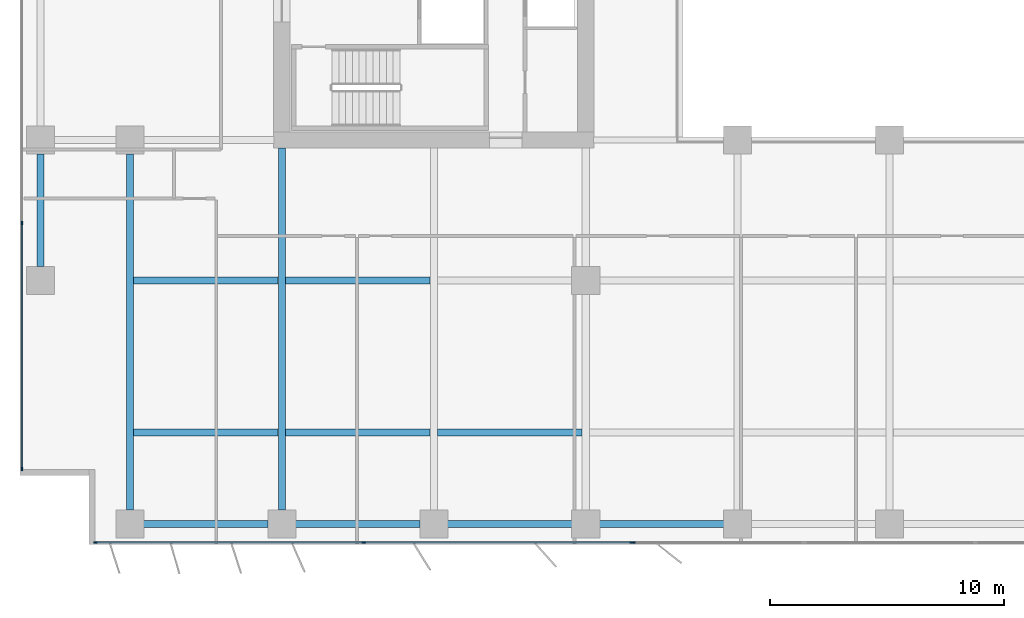
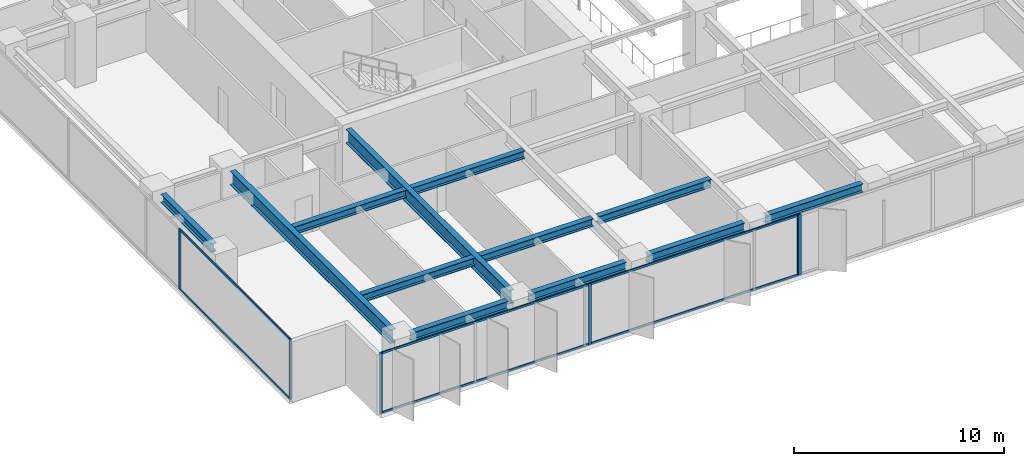
# One storey, part 2 of 20: 12 beams, 12 members, 3 elements without a shape of their own.
"""IFC4 building model written with IfcOpenShell, lengths in metres."""

from ifc_helpers import new_model, si_unit, direction, frame, origin, origin_2d, place, context, subcontext, project, spatial, rectangle, i_section, extrude, material, layer, layer_set, material_profile, profile_set, type_object, element, aggregate, save


model = new_model("IFC4")

# Units and contexts
model_context = context("Model", 3, precision=1e-05, world=origin(), true_north=direction((0.0, 1.0)))
body_context = subcontext(model_context, "Body", "Model", "MODEL_VIEW")
ifc_project = project(units=[si_unit("LENGTHUNIT", "METRE"), si_unit("AREAUNIT", "SQUARE_METRE"), si_unit("VOLUMEUNIT", "CUBIC_METRE"), si_unit("PLANEANGLEUNIT", "RADIAN"), si_unit("MASSUNIT", "GRAM", prefix="KILO")], contexts=[model_context])

# Site, building, storey
site_placement = place(None, origin())
site = spatial("IfcSite", under=ifc_project, at=site_placement, CompositionType="ELEMENT")
building_placement = place(site_placement, origin())
building = spatial("IfcBuilding", under=site, at=building_placement, Name="Putna Gate Headquarters", CompositionType="ELEMENT")
storey_placement = place(building_placement, frame((0.0, 0.0, 135.39990234375)))
storey = spatial("IfcBuildingStorey", under=building, at=storey_placement, Name="L33", CompositionType="ELEMENT", Elevation=135.39990234375)

# Beams
ifc_material_1 = material(Name="Steel S355J2", Category="steel")
ifc_material_profile_1 = material_profile(ifc_material_1, i_section(OverallWidth=0.300048828125, OverallDepth=0.800048828125, WebThickness=0.017578125, FlangeThickness=0.032958984375, at=origin_2d()), Name="Steel S355J2")
ifc_profile_set_1 = profile_set([ifc_material_profile_1], Name="Steel S355J2")
beam_type_1 = type_object("IfcBeamType", Name="BM-GIRD-P-HEB800", PredefinedType="USERDEFINED", material=ifc_profile_set_1)
beam_1_placement = place(storey_placement, frame((6.5, 3.16796875, 3.1201171875), z_axis=(0.0, 1.0, 0.0), x_axis=(-1.0, 0.0, 0.0)))
element("IfcBeam", 1, at=beam_1_placement, inside=storey, type_object=beam_type_1, Name="L33 South Primary Girder X6", ObjectType="GIRDER", PredefinedType="USERDEFINED", context=body_context, shape_type="SweptSolid", body=[
    extrude(i_section(OverallWidth=0.300048828125, OverallDepth=0.800048828125, WebThickness=0.017578125, FlangeThickness=0.032958984375, at=origin_2d()), origin(), (0.0, 0.0, 1.0), 15.244140625),
])
beam_2_placement = place(storey_placement, frame((13.0, 3.16796875, 3.1201171875), z_axis=(0.0, 1.0, 0.0), x_axis=(-1.0, 0.0, 0.0)))
element("IfcBeam", 2, at=beam_2_placement, inside=storey, type_object=beam_type_1, Name="L33 South Primary Girder X13", ObjectType="GIRDER", PredefinedType="USERDEFINED", context=body_context, shape_type="SweptSolid", body=[
    extrude(i_section(OverallWidth=0.300048828125, OverallDepth=0.800048828125, WebThickness=0.017578125, FlangeThickness=0.032958984375, at=origin_2d()), origin(), (0.0, 0.0, 1.0), 15.4970703125),
])
ifc_material_profile_2 = material_profile(ifc_material_1, i_section(OverallWidth=0.300048828125, OverallDepth=0.449951171875, WebThickness=0.013916015625, FlangeThickness=0.02587890625, at=origin_2d()), Name="Steel S355J2")
ifc_profile_set_2 = profile_set([ifc_material_profile_2], Name="Steel S355J2")
beam_type_2 = type_object("IfcBeamType", Name="BM-GIRD-Z5-HEB450", PredefinedType="USERDEFINED", material=ifc_profile_set_2)
for number, where, z_axis, x_axis, name in (
    (3, (6.654052734375, 6.5, 3.295166015625), (1.0, 0.0, 0.0), (0.0, 1.0, 0.0), "L33 South Secondary Beam 1"),
    (4, (6.654052734375, 13.0, 3.295166015625), (1.0, 0.0, 0.0), (0.0, 1.0, 0.0), "L33 South Secondary Beam 1"),
    (5, (13.154052734375, 6.5, 3.295166015625), (1.0, 0.0, 0.0), (0.0, 1.0, 0.0), "L33 South Secondary Beam 2"),
    (6, (13.154052734375, 13.0, 3.295166015625), (1.0, 0.0, 0.0), (0.0, 1.0, 0.0), "L33 South Secondary Beam 2"),
    (7, (19.654052734375, 6.5, 3.295166015625), (1.0, 0.0, 0.0), (0.0, 1.0, 0.0), "L33 South Secondary Beam 3"),
):
    element("IfcBeam", number, at=place(storey_placement, frame(where, z_axis=z_axis, x_axis=x_axis)), inside=storey, type_object=beam_type_2, Name=name, ObjectType="GIRDER", PredefinedType="USERDEFINED", context=body_context, shape_type="SweptSolid", body=[
        extrude(i_section(OverallWidth=0.300048828125, OverallDepth=0.449951171875, WebThickness=0.013916015625, FlangeThickness=0.02587890625, at=origin_2d()), origin(), (0.0, 0.0, 1.0), 6.19189453125),
    ])
ifc_material_profile_3 = material_profile(ifc_material_1, i_section(OverallWidth=0.300048828125, OverallDepth=0.489990234375, WebThickness=0.011962890625, FlangeThickness=0.02294921875, at=origin_2d()), Name="Steel S355J2")
ifc_profile_set_3 = profile_set([ifc_material_profile_3], Name="Steel S355J2")
beam_type_3 = type_object("IfcBeamType", Name="BM-SPAN-Z2-HEA500", PredefinedType="SPANDREL", material=ifc_profile_set_3)
for number, where, z_axis, x_axis, name in (
    (8, (7.087890625, 2.580078125, 3.275146484375), (1.0, 0.0, 0.0), (0.0, 1.0, 0.0), "L33 S Perimeter Spandrel 1"),
    (9, (13.587890625, 2.580078125, 3.275146484375), (1.0, 0.0, 0.0), (0.0, 1.0, 0.0), "L33 S Perimeter Spandrel 2"),
    (10, (20.087890625, 2.580078125, 3.275146484375), (1.0, 0.0, 0.0), (0.0, 1.0, 0.0), "L33 S Perimeter Spandrel 3"),
    (11, (26.587890625, 2.580078125, 3.275146484375), (1.0, 0.0, 0.0), (0.0, 1.0, 0.0), "L33 S Perimeter Spandrel 4"),
):
    element("IfcBeam", number, at=place(storey_placement, frame(where, z_axis=z_axis, x_axis=x_axis)), inside=storey, type_object=beam_type_3, Name=name, PredefinedType="SPANDREL", context=body_context, shape_type="SweptSolid", body=[
        extrude(i_section(OverallWidth=0.300048828125, OverallDepth=0.489990234375, WebThickness=0.011962890625, FlangeThickness=0.02294921875, at=origin_2d()), origin(), (0.0, 0.0, 1.0), 5.32421875),
    ])
beam_3_placement = place(storey_placement, frame((2.679931640625, 13.587890625, 3.275146484375), z_axis=(0.0, 1.0, 0.0), x_axis=(-1.0, 0.0, 0.0)))
element("IfcBeam", 12, at=beam_3_placement, inside=storey, type_object=beam_type_3, Name="L33 W End Spandrel 1", PredefinedType="SPANDREL", context=body_context, shape_type="SweptSolid", body=[
    extrude(i_section(OverallWidth=0.300048828125, OverallDepth=0.489990234375, WebThickness=0.011962890625, FlangeThickness=0.02294921875, at=origin_2d()), origin(), (0.0, 0.0, 1.0), 4.82421875),
])

# Curtain wall, members
ifc_material_2 = material(Name="Anodised bronze aluminium curtain wall", Category="aluminium")
ifc_layer_1 = layer(ifc_material_2, 0.159912109375)
ifc_layer_set_1 = layer_set([ifc_layer_1], Name="Anodised bronze aluminium curtain wall")
curtain_wall_type_1 = type_object("IfcCurtainWallType", Name="CW-SYS-Z2", PredefinedType="USERDEFINED", material=ifc_layer_set_1)
curtain_wall_1_placement = place(storey_placement, origin())
curtain_wall_1 = element("IfcCurtainWall", 13, at=curtain_wall_1_placement, inside=storey, type_object=curtain_wall_type_1, Name="L33 South West Curtain Wall", ObjectType="STICK CURTAIN WALL", PredefinedType="USERDEFINED")
ifc_material_3 = material(Name="Anodised bronze aluminium EN AW-6060", Category="aluminium")
ifc_material_profile_4 = material_profile(ifc_material_3, rectangle(XDim=0.06494140625, YDim=0.159912109375, at=origin_2d()), Name="Anodised bronze aluminium EN AW-6060")
ifc_profile_set_4 = profile_set([ifc_material_profile_4], Name="Anodised bronze aluminium EN AW-6060")
member_type_1 = type_object("IfcMemberType", Name="MULL-CWM-2", PredefinedType="MULLION", material=ifc_profile_set_4)
member_1_placement = place(storey_placement, frame((5.032470703125, 1.780029296875, 0.0), z_axis=(0.0, 0.0, 1.0), x_axis=(0.0, 1.0, 0.0)))
member_1 = element("IfcMember", 14, at=member_1_placement, type_object=member_type_1, Name="CWS-2 mullion 1", PredefinedType="MULLION", context=body_context, shape_type="SweptSolid", body=[
    extrude(rectangle(XDim=0.06494140625, YDim=0.159912109375, at=origin_2d()), origin(), (0.0, 0.0, 1.0), 3.52001953125),
])
member_2_placement = place(storey_placement, frame((16.5, 1.780029296875, 0.0), z_axis=(0.0, 0.0, 1.0), x_axis=(0.0, 1.0, 0.0)))
member_2 = element("IfcMember", 15, at=member_2_placement, type_object=member_type_1, Name="CWS-2 mullion 2", PredefinedType="MULLION", context=body_context, shape_type="SweptSolid", body=[
    extrude(rectangle(XDim=0.06494140625, YDim=0.159912109375, at=origin_2d()), origin(), (0.0, 0.0, 1.0), 3.52001953125),
])
member_3_placement = place(storey_placement, frame((27.967529296875, 1.780029296875, 0.0), z_axis=(0.0, 0.0, 1.0), x_axis=(0.0, 1.0, 0.0)))
member_3 = element("IfcMember", 16, at=member_3_placement, type_object=member_type_1, Name="CWS-2 mullion 3", PredefinedType="MULLION", context=body_context, shape_type="SweptSolid", body=[
    extrude(rectangle(XDim=0.06494140625, YDim=0.159912109375, at=origin_2d()), origin(), (0.0, 0.0, 1.0), 3.52001953125),
])

curtain_wall_2_placement = place(storey_placement, origin())
curtain_wall_2 = element("IfcCurtainWall", 17, at=curtain_wall_2_placement, inside=storey, type_object=curtain_wall_type_1, Name="L33 West Curtain Wall", ObjectType="STICK CURTAIN WALL", PredefinedType="USERDEFINED")
member_4_placement = place(storey_placement, frame((1.8798828125, 4.9326171875, 0.0), z_axis=(0.0, 0.0, 1.0), x_axis=(-1.0, 0.0, 0.0)))
member_4 = element("IfcMember", 18, at=member_4_placement, type_object=member_type_1, Name="CWS-2 mullion 1", PredefinedType="MULLION", context=body_context, shape_type="SweptSolid", body=[
    extrude(rectangle(XDim=0.06494140625, YDim=0.159912109375, at=origin_2d()), origin(), (0.0, 0.0, 1.0), 3.52001953125),
])
member_5_placement = place(storey_placement, frame((1.8798828125, 15.449951171875, 0.0), z_axis=(0.0, 0.0, 1.0), x_axis=(-1.0, 0.0, 0.0)))
member_5 = element("IfcMember", 19, at=member_5_placement, type_object=member_type_1, Name="CWS-2 mullion 2", PredefinedType="MULLION", context=body_context, shape_type="SweptSolid", body=[
    extrude(rectangle(XDim=0.06494140625, YDim=0.159912109375, at=origin_2d()), origin(), (0.0, 0.0, 1.0), 3.52001953125),
])

# Curtain wall, member
ifc_layer_2 = layer(ifc_material_2, 0.179931640625)
ifc_layer_set_2 = layer_set([ifc_layer_2], Name="Anodised bronze aluminium curtain wall")
curtain_wall_type_2 = type_object("IfcCurtainWallType", Name="CW-SYS-ATR", PredefinedType="USERDEFINED", material=ifc_layer_set_2)
curtain_wall_3_placement = place(storey_placement, origin())
curtain_wall_3 = element("IfcCurtainWall", 20, at=curtain_wall_3_placement, inside=storey, type_object=curtain_wall_type_2, Name="L33 South Atrium Clear Glazing", ObjectType="ATRIUM GLAZING", PredefinedType="USERDEFINED")
ifc_material_profile_5 = material_profile(ifc_material_3, rectangle(XDim=0.070068359375, YDim=0.179931640625, at=origin_2d()), Name="Anodised bronze aluminium EN AW-6060")
ifc_profile_set_5 = profile_set([ifc_material_profile_5], Name="Anodised bronze aluminium EN AW-6060")
member_type_2 = type_object("IfcMemberType", Name="MULL-CWM-AT", PredefinedType="MULLION", material=ifc_profile_set_5)
member_6_placement = place(storey_placement, frame((28.034912109375, 1.780029296875, 0.0), z_axis=(0.0, 0.0, 1.0), x_axis=(0.0, 1.0, 0.0)))
member_6 = element("IfcMember", 21, at=member_6_placement, type_object=member_type_2, Name="CWS-AT mullion 1", PredefinedType="MULLION", context=body_context, shape_type="SweptSolid", body=[
    extrude(rectangle(XDim=0.070068359375, YDim=0.179931640625, at=origin_2d()), origin(), (0.0, 0.0, 1.0), 3.52001953125),
])
aggregate(curtain_wall_3, [member_6])

# Member
ifc_material_profile_6 = material_profile(ifc_material_3, rectangle(XDim=0.06494140625, YDim=0.1201171875, at=origin_2d()), Name="Anodised bronze aluminium EN AW-6060")
ifc_profile_set_6 = profile_set([ifc_material_profile_6], Name="Anodised bronze aluminium EN AW-6060")
member_type_3 = type_object("IfcMemberType", Name="TRAN-CWT-2", PredefinedType="USERDEFINED", material=ifc_profile_set_6)
member_7_placement = place(storey_placement, frame((5.06494140625, 1.780029296875, 0.03271484375), z_axis=(1.0, 0.0, 0.0), x_axis=(0.0, 1.0, 0.0)))
member_7 = element("IfcMember", 22, at=member_7_placement, type_object=member_type_3, Name="CWS-2 transom 1.1", ObjectType="TRANSOM", PredefinedType="USERDEFINED", context=body_context, shape_type="SweptSolid", body=[
    extrude(rectangle(XDim=0.06494140625, YDim=0.1201171875, at=origin_2d()), origin(), (0.0, 0.0, 1.0), 11.402587890625),
])

member_8_placement = place(storey_placement, frame((5.06494140625, 1.780029296875, 3.487548828125), z_axis=(1.0, 0.0, 0.0), x_axis=(0.0, 1.0, 0.0)))
member_8 = element("IfcMember", 23, at=member_8_placement, type_object=member_type_3, Name="CWS-2 transom 1.2", ObjectType="TRANSOM", PredefinedType="USERDEFINED", context=body_context, shape_type="SweptSolid", body=[
    extrude(rectangle(XDim=0.06494140625, YDim=0.1201171875, at=origin_2d()), origin(), (0.0, 0.0, 1.0), 11.402587890625),
])

member_9_placement = place(storey_placement, frame((16.532470703125, 1.780029296875, 0.03271484375), z_axis=(1.0, 0.0, 0.0), x_axis=(0.0, 1.0, 0.0)))
member_9 = element("IfcMember", 24, at=member_9_placement, type_object=member_type_3, Name="CWS-2 transom 2.1", ObjectType="TRANSOM", PredefinedType="USERDEFINED", context=body_context, shape_type="SweptSolid", body=[
    extrude(rectangle(XDim=0.06494140625, YDim=0.1201171875, at=origin_2d()), origin(), (0.0, 0.0, 1.0), 11.402587890625),
])

member_10_placement = place(storey_placement, frame((16.532470703125, 1.780029296875, 3.487548828125), z_axis=(1.0, 0.0, 0.0), x_axis=(0.0, 1.0, 0.0)))
member_10 = element("IfcMember", 25, at=member_10_placement, type_object=member_type_3, Name="CWS-2 transom 2.2", ObjectType="TRANSOM", PredefinedType="USERDEFINED", context=body_context, shape_type="SweptSolid", body=[
    extrude(rectangle(XDim=0.06494140625, YDim=0.1201171875, at=origin_2d()), origin(), (0.0, 0.0, 1.0), 11.402587890625),
])

aggregate(curtain_wall_1, [member_1, member_2, member_3, member_7, member_8, member_9, member_10])

member_11_placement = place(storey_placement, frame((1.8798828125, 4.965087890625, 0.03271484375), z_axis=(0.0, 1.0, 0.0), x_axis=(-1.0, 0.0, 0.0)))
member_11 = element("IfcMember", 26, at=member_11_placement, type_object=member_type_3, Name="CWS-2 transom 1.1", ObjectType="TRANSOM", PredefinedType="USERDEFINED", context=body_context, shape_type="SweptSolid", body=[
    extrude(rectangle(XDim=0.06494140625, YDim=0.1201171875, at=origin_2d()), origin(), (0.0, 0.0, 1.0), 10.452392578125),
])

member_12_placement = place(storey_placement, frame((1.8798828125, 4.965087890625, 3.487548828125), z_axis=(0.0, 1.0, 0.0), x_axis=(-1.0, 0.0, 0.0)))
member_12 = element("IfcMember", 27, at=member_12_placement, type_object=member_type_3, Name="CWS-2 transom 1.2", ObjectType="TRANSOM", PredefinedType="USERDEFINED", context=body_context, shape_type="SweptSolid", body=[
    extrude(rectangle(XDim=0.06494140625, YDim=0.1201171875, at=origin_2d()), origin(), (0.0, 0.0, 1.0), 10.452392578125),
])

aggregate(curtain_wall_2, [member_4, member_5, member_11, member_12])

save(model, "model.ifc")
